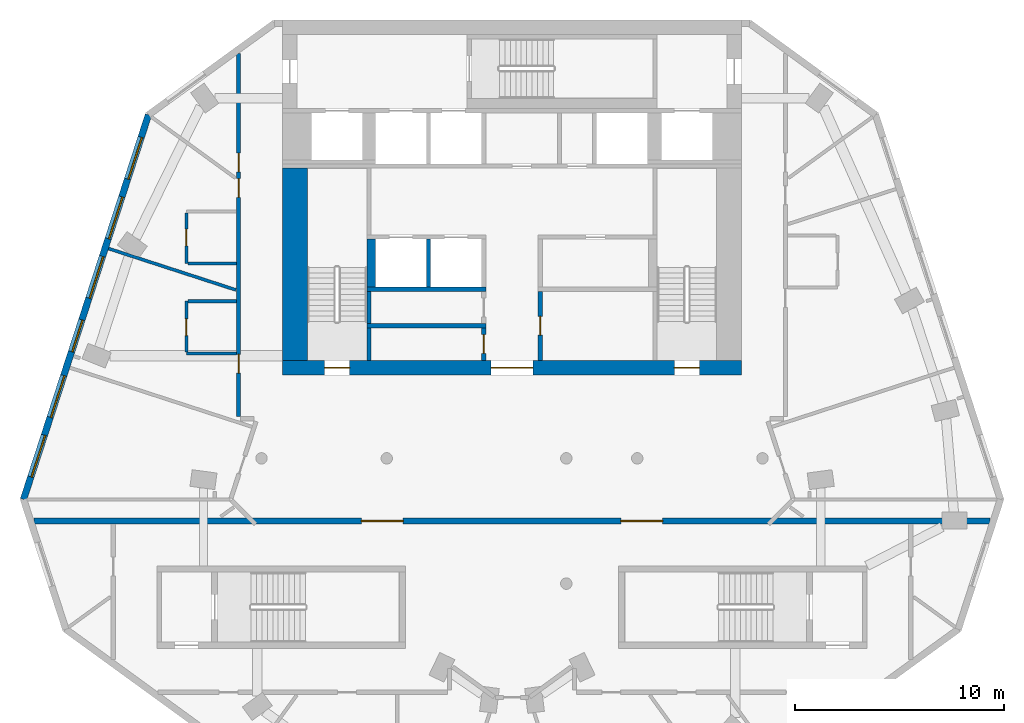
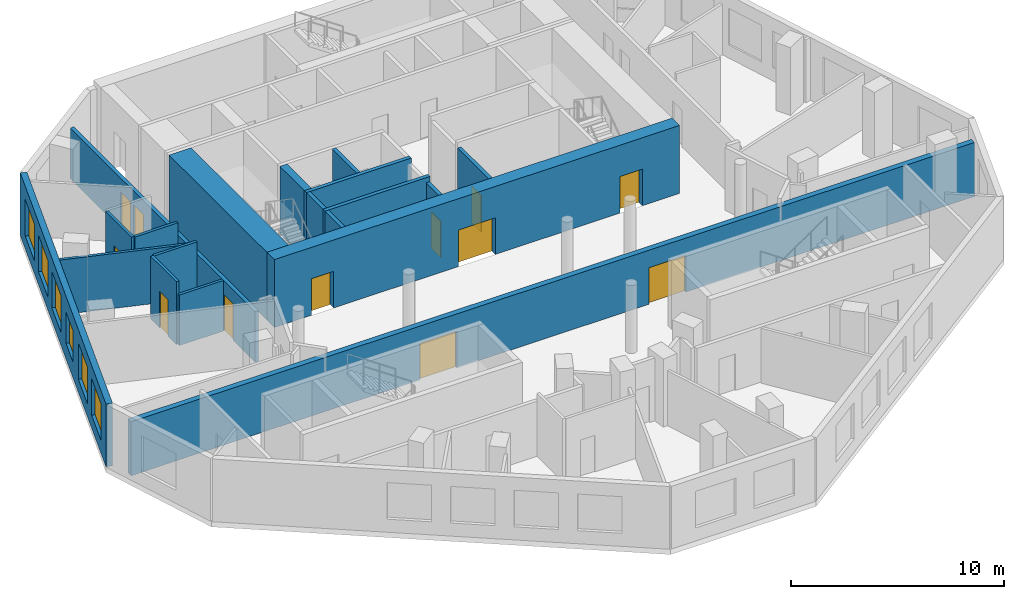
# One storey, part 3 of 8: 19 walls, 12 doors, 6 windows, 18 openings.
"""IFC4 building model written with IfcOpenShell, lengths in metres."""

import ifcopenshell
import ifcopenshell.guid

model = None  # the IFC model being written
_history = None  # IfcOwnerHistory: only IFC2X3 demands one
_inside = {}  # id of a spatial element -> (the spatial element, [elements in it])
_under = {}  # id of a project, library or spatial element -> (it, [spatial elements below it])
_declared = {}  # id of a project -> (the project, [libraries it declares])
_typed = {}  # id of a type object -> (the type object, [elements of that type])
_made_of = {}  # id of a material, layer set ... -> (it, [elements and type objects made of it])


def new_model(schema):
    """Start an empty IFC model of exactly this schema.

    Asked for "IFC4X3", IfcOpenShell would pick the latest addendum, in which some entities
    have other attributes; the version numbers below select the first issue.
    IFC2X3 requires an IfcOwnerHistory on every rooted entity: one is made here for all.
    """
    global model, _history
    if schema == "IFC4X3":
        model = ifcopenshell.file(schema_version=(4, 3, 0, 0))
    else:
        model = ifcopenshell.file(schema=schema)
    _inside.clear()
    _under.clear()
    _declared.clear()
    _typed.clear()
    _made_of.clear()
    _history = None
    if model.schema == "IFC2X3":
        org = make("IfcOrganization", Name="unknown")
        user = make(
            "IfcPersonAndOrganization",
            ThePerson=make("IfcPerson", FamilyName="unknown"),
            TheOrganization=org,
        )
        app = make(
            "IfcApplication",
            ApplicationDeveloper=org,
            Version="unknown",
            ApplicationFullName="unknown",
            ApplicationIdentifier="unknown",
        )
        _history = make(
            "IfcOwnerHistory",
            OwningUser=user,
            OwningApplication=app,
            ChangeAction="ADDED",
            CreationDate=0,
        )
    return model


def make(cls, **values):
    """One entity of the class cls with the attributes given. An attribute that is None is left unset."""
    return model.create_entity(
        cls, **{name: value for name, value in values.items() if value is not None}
    )


def rooted(cls, **values):
    """An entity with a GlobalId (a new one), such as an element, a storey or a relation."""
    return make(cls, GlobalId=ifcopenshell.guid.new(), OwnerHistory=_history, **values)


def si_unit(unit_type, name, prefix=None):
    """IfcSIUnit, for example si_unit("LENGTHUNIT", "METRE", prefix="MILLI")."""
    return make("IfcSIUnit", UnitType=unit_type, Prefix=prefix, Name=name)


def assignment(units):
    """IfcUnitAssignment: the units of a project."""
    return None if units is None else make("IfcUnitAssignment", Units=units)


def point(xyz):
    """IfcCartesianPoint."""
    return None if xyz is None else make("IfcCartesianPoint", Coordinates=xyz)


def direction(xyz):
    """IfcDirection."""
    return None if xyz is None else make("IfcDirection", DirectionRatios=xyz)


def frame(location, z_axis=None, x_axis=None):
    """IfcAxis2Placement3D, a coordinate frame: its origin and axes. An axis left out is left unset."""
    return make(
        "IfcAxis2Placement3D",
        Location=point(location),
        Axis=direction(z_axis),
        RefDirection=direction(x_axis),
    )


def frame_2d(location, x_axis=None):
    """IfcAxis2Placement2D, a coordinate frame in the plane: its origin and x axis."""
    return make(
        "IfcAxis2Placement2D", Location=point(location), RefDirection=direction(x_axis)
    )


def origin():
    """The frame at (0, 0, 0) with its axes left unset."""
    return frame((0.0, 0.0, 0.0))


def place(relative_to, where):
    """IfcLocalPlacement: puts the frame where relative to a parent placement (None: the world)."""
    return make(
        "IfcLocalPlacement", PlacementRelTo=relative_to, RelativePlacement=where
    )


def context(
    kind, dimensions, precision=None, world=None, true_north=None, identifier=None
):
    """IfcGeometricRepresentationContext, for example the 3D "Model" context."""
    return make(
        "IfcGeometricRepresentationContext",
        ContextIdentifier=identifier,
        ContextType=kind,
        CoordinateSpaceDimension=dimensions,
        Precision=precision,
        WorldCoordinateSystem=world,
        TrueNorth=true_north,
    )


def subcontext(parent, identifier, kind, view, scale=None):
    """IfcGeometricRepresentationSubContext, for example "Body" below "Model"."""
    return make(
        "IfcGeometricRepresentationSubContext",
        ContextIdentifier=identifier,
        ContextType=kind,
        ParentContext=parent,
        TargetScale=scale,
        TargetView=view,
    )


def project(units=None, contexts=None):
    """IfcProject with its units and contexts."""
    return rooted(
        "IfcProject",
        Name="project",
        RepresentationContexts=contexts,
        UnitsInContext=assignment(units),
    )


def spatial(cls, under=None, at=None, **own):
    """A site, building, storey or space (cls), placed at a placement, below another one or the project."""
    s = rooted(cls, ObjectPlacement=at, **own)
    if under is not None:
        _under.setdefault(under.id(), (under, []))[1].append(s)
    return s


def profile(cls, at=None, kind="AREA", **sizes):
    """A parametric profile (cls). Its sizes go by their IFC names, for example OverallWidth=200.0."""
    return make(cls, ProfileType=kind, Position=at, **sizes)


def rectangle(**sizes):
    """IfcRectangleProfileDef."""
    return profile("IfcRectangleProfileDef", **sizes)


def extrude(swept, where, along, depth):
    """IfcExtrudedAreaSolid: the profile swept, set in the frame where, extruded along a direction by depth."""
    return make(
        "IfcExtrudedAreaSolid",
        SweptArea=swept,
        Position=where,
        ExtrudedDirection=direction(along),
        Depth=depth,
    )


def shape(context_of_items, identifier, shape_type, items):
    """IfcShapeRepresentation: the items that make up one representation, for example the "Body"."""
    return make(
        "IfcShapeRepresentation",
        ContextOfItems=context_of_items,
        RepresentationIdentifier=identifier,
        RepresentationType=shape_type,
        Items=items,
    )


def material(Name=None, Category=None):
    """IfcMaterial."""
    return make("IfcMaterial", Name=Name, Category=Category)


def layer(
    of_material, thickness, ventilated=None, Name=None, Category=None, Priority=None
):
    """IfcMaterialLayer: one layer of a wall or slab, of a material (None: an air gap)."""
    return make(
        "IfcMaterialLayer",
        Material=of_material,
        LayerThickness=thickness,
        IsVentilated=ventilated,
        Name=Name,
        Category=Category,
        Priority=Priority,
    )


def layer_set(layers, Name=None):
    """IfcMaterialLayerSet."""
    return make("IfcMaterialLayerSet", MaterialLayers=layers, LayerSetName=Name)


def made_of(thing, what):
    """Note that an element or type object is made of a material, layer set ...; save() writes the relation."""
    if what is not None:
        _made_of.setdefault(what.id(), (what, []))[1].append(thing)
    return thing


def type_object(cls, material=None, **own):
    """A type object (cls), such as IfcWallType, which elements share."""
    return made_of(rooted(cls, **own), material)


def element(
    cls,
    number,
    at=None,
    inside=None,
    cuts=None,
    type_object=None,
    material=None,
    context=None,
    identifier="Body",
    shape_type=None,
    held_by="IfcProductDefinitionShape",
    body=None,
    shapes=None,
    **own,
):
    """One element of the class cls, such as IfcWall. Its Tag is "e" and its number.

    at: its placement. inside: the storey or other place that contains it. cuts: it is an
    opening in that element (IfcRelVoidsElement). A single representation is given by context,
    identifier, shape_type and body (its items); several are given by shapes. held_by: the class
    of the entity that holds the representations. save() writes the other relations.
    """
    e = rooted(cls, Tag="e%d" % number, ObjectPlacement=at, **own)
    if body is not None:
        shapes = [shape(context, identifier, shape_type, body)]
    if shapes is not None:
        e.Representation = make(held_by, Representations=shapes)
    if inside is not None:
        _inside.setdefault(inside.id(), (inside, []))[1].append(e)
    if cuts is not None:
        rooted(
            "IfcRelVoidsElement", RelatingBuildingElement=cuts, RelatedOpeningElement=e
        )
    if type_object is not None:
        _typed.setdefault(type_object.id(), (type_object, []))[1].append(e)
    return made_of(e, material)


def fill(opening, filler):
    """IfcRelFillsElement: the door or window that sits in an opening."""
    return rooted(
        "IfcRelFillsElement",
        RelatingOpeningElement=opening,
        RelatedBuildingElement=filler,
    )


def aggregate(whole, parts):
    """IfcRelAggregates: a whole, such as a stair, and the parts it consists of."""
    return rooted("IfcRelAggregates", RelatingObject=whole, RelatedObjects=parts)


def save(model, path):
    """Write the relations noted so far, then the file.

    IfcRelAggregates (storeys below a building ...), IfcRelContainedInSpatialStructure (elements
    in a storey), IfcRelDefinesByType, IfcRelAssociatesMaterial and IfcRelDeclares: one each for
    every whole, place, type object, material and project.
    """
    for whole, parts in _under.values():
        aggregate(whole, parts)
    for where, things in _inside.values():
        rooted(
            "IfcRelContainedInSpatialStructure",
            RelatedElements=things,
            RelatingStructure=where,
        )
    for kind, things in _typed.values():
        rooted("IfcRelDefinesByType", RelatedObjects=things, RelatingType=kind)
    for what, things in _made_of.values():
        rooted("IfcRelAssociatesMaterial", RelatedObjects=things, RelatingMaterial=what)
    for by, libraries in _declared.values():
        rooted("IfcRelDeclares", RelatingContext=by, RelatedDefinitions=libraries)
    model.write(path)


model = new_model("IFC4")

# Units and contexts
model_context = context("Model", 3, precision=1e-05, world=origin(), true_north=direction((0.0, 1.0)))
body_context = subcontext(model_context, "Body", "Model", "MODEL_VIEW")
ifc_project = project(units=[si_unit("LENGTHUNIT", "METRE"), si_unit("AREAUNIT", "SQUARE_METRE"), si_unit("VOLUMEUNIT", "CUBIC_METRE"), si_unit("PLANEANGLEUNIT", "RADIAN"), si_unit("MASSUNIT", "GRAM", prefix="KILO")], contexts=[model_context])

# Site, building, storey
site_placement = place(None, origin())
site = spatial("IfcSite", under=ifc_project, at=site_placement, CompositionType="ELEMENT")
building_placement = place(site_placement, origin())
building = spatial("IfcBuilding", under=site, at=building_placement, Name="White Candle Pilgrim Tower", CompositionType="ELEMENT")
storey_placement = place(building_placement, frame((0.0, 0.0, 263.89990234375)))
storey = spatial("IfcBuildingStorey", under=building, at=storey_placement, Name="L62", CompositionType="ELEMENT", Elevation=263.89990234375)

# Wall, openings, doors
ifc_material_1 = material(Name="Gypsum board on steel studs", Category="steel")
ifc_layer_1 = layer(ifc_material_1, 0.199951171875)
ifc_layer_set_1 = layer_set([ifc_layer_1], Name="Corridor wall 200 mm EI 45")
wall_type_1 = type_object("IfcWallType", Name="Corridor wall 200 mm EI 45", PredefinedType="PARTITIONING", material=ifc_layer_set_1)
wall_1_placement = place(storey_placement, frame((56.89990234375, 69.0, 0.0), z_axis=(0.0, 0.0, 1.0), x_axis=(0.0, 1.0, 0.0)))
wall_1 = element("IfcWall", 1, at=wall_1_placement, inside=storey, type_object=wall_type_1, Name="WL-L62-P006", PredefinedType="PARTITIONING", context=body_context, shape_type="SweptSolid", body=[
    extrude(rectangle(XDim=17.396240234375, YDim=0.199951171875, at=frame_2d((8.6982421875, 0.0))), origin(), (0.0, 0.0, 1.0), 2.900146484375),
])
opening_1_placement = place(wall_1_placement, frame((2.084716796875, 0.0, 0.0)))
opening_1 = element("IfcOpeningElement", 2, at=opening_1_placement, cuts=wall_1, Name="Opening T19-115", PredefinedType="OPENING", context=body_context, shape_type="SweptSolid", body=[
    extrude(rectangle(XDim=0.89990234375, YDim=2.10009765625, at=frame_2d((0.449951171875, 1.050048828125))), frame((0.0, 0.10986328125, 0.0), z_axis=(0.0, -1.0, 0.0), x_axis=(1.0, 0.0, 0.0)), (0.0, 0.0, 1.0), 0.219970703125),
])
opening_2_placement = place(wall_1_placement, frame((10.502197265625, 0.0, 0.0)))
opening_2 = element("IfcOpeningElement", 3, at=opening_2_placement, cuts=wall_1, Name="Opening T19-116", PredefinedType="OPENING", context=body_context, shape_type="SweptSolid", body=[
    extrude(rectangle(XDim=0.89990234375, YDim=2.10009765625, at=frame_2d((0.449951171875, 1.050048828125))), frame((0.0, 0.10986328125, 0.0), z_axis=(0.0, -1.0, 0.0), x_axis=(1.0, 0.0, 0.0)), (0.0, 0.0, 1.0), 0.219970703125),
])
opening_3_placement = place(wall_1_placement, frame((11.727294921875, 0.0, 0.0)))
opening_3 = element("IfcOpeningElement", 4, at=opening_3_placement, cuts=wall_1, Name="Opening T19-117", PredefinedType="OPENING", context=body_context, shape_type="SweptSolid", body=[
    extrude(rectangle(XDim=0.89990234375, YDim=2.10009765625, at=frame_2d((0.449951171875, 1.050048828125))), frame((0.0, 0.10986328125, 0.0), z_axis=(0.0, -1.0, 0.0), x_axis=(1.0, 0.0, 0.0)), (0.0, 0.0, 1.0), 0.219970703125),
])
ifc_material_2 = material(Name="Steel door leaf", Category="steel")
door_type_1 = type_object("IfcDoorType", Name="Fire door 900 x 2100 EI 30", OperationType="NOTDEFINED", PredefinedType="DOOR", material=ifc_material_2)
door_1_placement = place(opening_1_placement, frame((0.89990234375, 0.0, 0.0), z_axis=(0.0, 0.0, 1.0), x_axis=(-1.0, 0.0, 0.0)))
door_1 = element("IfcDoor", 5, at=door_1_placement, inside=storey, type_object=door_type_1, Name="Door T19-115", OperationType="SINGLE_SWING_RIGHT", OverallHeight=2.10009765625, OverallWidth=0.89990234375, PredefinedType="DOOR", context=body_context, shape_type="SweptSolid", body=[
    extrude(rectangle(XDim=0.89990234375, YDim=2.10009765625, at=frame_2d((0.449951171875, 1.050048828125))), frame((0.0, 0.02490234375, 0.0), z_axis=(0.0, -1.0, 0.0), x_axis=(1.0, 0.0, 0.0)), (0.0, 0.0, 1.0), 0.050048828125),
])
fill(opening_1, door_1)
door_2_placement = place(opening_2_placement, origin())
door_2 = element("IfcDoor", 6, at=door_2_placement, inside=storey, type_object=door_type_1, Name="Door T19-116", OperationType="SINGLE_SWING_RIGHT", OverallHeight=2.10009765625, OverallWidth=0.89990234375, PredefinedType="DOOR", context=body_context, shape_type="SweptSolid", body=[
    extrude(rectangle(XDim=0.89990234375, YDim=2.10009765625, at=frame_2d((0.449951171875, 1.050048828125))), frame((0.0, 0.02490234375, 0.0), z_axis=(0.0, -1.0, 0.0), x_axis=(1.0, 0.0, 0.0)), (0.0, 0.0, 1.0), 0.050048828125),
])
fill(opening_2, door_2)
door_3_placement = place(opening_3_placement, origin())
door_3 = element("IfcDoor", 7, at=door_3_placement, inside=storey, type_object=door_type_1, Name="Door T19-117", OperationType="SINGLE_SWING_LEFT", OverallHeight=2.10009765625, OverallWidth=0.89990234375, PredefinedType="DOOR", context=body_context, shape_type="SweptSolid", body=[
    extrude(rectangle(XDim=0.89990234375, YDim=2.10009765625, at=frame_2d((0.449951171875, 1.050048828125))), frame((0.0, 0.02490234375, 0.0), z_axis=(0.0, -1.0, 0.0), x_axis=(1.0, 0.0, 0.0)), (0.0, 0.0, 1.0), 0.050048828125),
])
fill(opening_3, door_3)

# Wall, openings, windows
ifc_material_3 = material(Name="Precast concrete C40/50", Category="concrete")
ifc_layer_2 = layer(ifc_material_3, 0.320068359375)
ifc_layer_set_2 = layer_set([ifc_layer_2], Name="Facade wall EW1 precast concrete C40/50 pier wall with timber-lined reveals")
wall_type_2 = type_object("IfcWallType", Name="Facade wall EW1 precast concrete C40/50 pier wall with timber-lined reveals", PredefinedType="SOLIDWALL", material=ifc_layer_set_2)
wall_2_placement = place(storey_placement, frame((52.58447265625, 83.45849609375, 0.0), z_axis=(0.0, 0.0, 1.0), x_axis=(-0.309018808064, -0.95105592699, 0.0)))
wall_2 = element("IfcWall", 8, at=wall_2_placement, inside=storey, type_object=wall_type_2, Name="Facade wall L62 WNW", PredefinedType="SOLIDWALL", context=body_context, shape_type="SweptSolid", body=[
    extrude(rectangle(XDim=19.368896484375, YDim=0.320068359375, at=frame_2d((9.6845703125, 0.0))), origin(), (0.0, 0.0, 1.0), 3.60009765625),
])
opening_4_placement = place(wall_2_placement, frame((1.134521484375, 0.0, 0.75)))
opening_4 = element("IfcOpeningElement", 9, at=opening_4_placement, cuts=wall_2, Name="Opening W3", PredefinedType="OPENING", context=body_context, shape_type="SweptSolid", body=[
    extrude(rectangle(XDim=2.10009765625, YDim=2.10009765625, at=frame_2d((1.050048828125, 1.050048828125))), frame((0.0, 0.169921875, 0.0), z_axis=(0.0, -1.0, 0.0), x_axis=(1.0, 0.0, 0.0)), (0.0, 0.0, 1.0), 0.340087890625),
])
opening_5_placement = place(wall_2_placement, frame((4.134521484375, 0.0, 0.75)))
opening_5 = element("IfcOpeningElement", 10, at=opening_5_placement, cuts=wall_2, Name="Opening W3", PredefinedType="OPENING", context=body_context, shape_type="SweptSolid", body=[
    extrude(rectangle(XDim=2.10009765625, YDim=2.10009765625, at=frame_2d((1.050048828125, 1.050048828125))), frame((0.0, 0.169921875, 0.0), z_axis=(0.0, -1.0, 0.0), x_axis=(1.0, 0.0, 0.0)), (0.0, 0.0, 1.0), 0.340087890625),
])
opening_6_placement = place(wall_2_placement, frame((7.134521484375, 0.0, 0.75)))
opening_6 = element("IfcOpeningElement", 11, at=opening_6_placement, cuts=wall_2, Name="Opening W3", PredefinedType="OPENING", context=body_context, shape_type="SweptSolid", body=[
    extrude(rectangle(XDim=2.10009765625, YDim=2.10009765625, at=frame_2d((1.050048828125, 1.050048828125))), frame((0.0, 0.169921875, 0.0), z_axis=(0.0, -1.0, 0.0), x_axis=(1.0, 0.0, 0.0)), (0.0, 0.0, 1.0), 0.340087890625),
])
opening_7_placement = place(wall_2_placement, frame((10.3291015625, 0.0, 0.89990234375)))
opening_7 = element("IfcOpeningElement", 12, at=opening_7_placement, cuts=wall_2, Name="Opening W2", PredefinedType="OPENING", context=body_context, shape_type="SweptSolid", body=[
    extrude(rectangle(XDim=1.60009765625, YDim=1.800048828125, at=frame_2d((0.800048828125, 0.89990234375))), frame((0.0, 0.169921875, 0.0), z_axis=(0.0, -1.0, 0.0), x_axis=(1.0, 0.0, 0.0)), (0.0, 0.0, 1.0), 0.340087890625),
])
opening_8_placement = place(wall_2_placement, frame((13.134521484375, 0.0, 0.75)))
opening_8 = element("IfcOpeningElement", 13, at=opening_8_placement, cuts=wall_2, Name="Opening W3", PredefinedType="OPENING", context=body_context, shape_type="SweptSolid", body=[
    extrude(rectangle(XDim=2.10009765625, YDim=2.10009765625, at=frame_2d((1.050048828125, 1.050048828125))), frame((0.0, 0.169921875, 0.0), z_axis=(0.0, -1.0, 0.0), x_axis=(1.0, 0.0, 0.0)), (0.0, 0.0, 1.0), 0.340087890625),
])
opening_9_placement = place(wall_2_placement, frame((16.134521484375, 0.0, 0.75)))
opening_9 = element("IfcOpeningElement", 14, at=opening_9_placement, cuts=wall_2, Name="Opening W3", PredefinedType="OPENING", context=body_context, shape_type="SweptSolid", body=[
    extrude(rectangle(XDim=2.10009765625, YDim=2.10009765625, at=frame_2d((1.050048828125, 1.050048828125))), frame((0.0, 0.169921875, 0.0), z_axis=(0.0, -1.0, 0.0), x_axis=(1.0, 0.0, 0.0)), (0.0, 0.0, 1.0), 0.340087890625),
])
ifc_material_4 = material(Name="Timber frame with triple glazing", Category="wood")
window_type_1 = type_object("IfcWindowType", Name="Window W2 1600x1800 timber frame triple glazing", PartitioningType="SINGLE_PANEL", PredefinedType="WINDOW", material=ifc_material_4)
window_1_placement = place(opening_7_placement, origin())
window_1 = element("IfcWindow", 15, at=window_1_placement, inside=storey, type_object=window_type_1, Name="Window W2 L62 WNW 4", OverallHeight=1.800048828125, OverallWidth=1.60009765625, PartitioningType="SINGLE_PANEL", PredefinedType="WINDOW", context=body_context, shape_type="SweptSolid", body=[
    extrude(rectangle(XDim=1.60009765625, YDim=1.800048828125, at=frame_2d((0.800048828125, 0.89990234375))), frame((0.0, 0.070068359375, 0.0), z_axis=(0.0, -1.0, 0.0), x_axis=(1.0, 0.0, 0.0)), (0.0, 0.0, 1.0), 0.06005859375),
])
fill(opening_7, window_1)
window_type_2 = type_object("IfcWindowType", Name="Window W3 2100x2100 timber frame triple glazing", PartitioningType="SINGLE_PANEL", PredefinedType="WINDOW", material=ifc_material_4)
window_2_placement = place(opening_4_placement, origin())
window_2 = element("IfcWindow", 16, at=window_2_placement, inside=storey, type_object=window_type_2, Name="Window W3 L62 WNW 1", OverallHeight=2.10009765625, OverallWidth=2.10009765625, PartitioningType="SINGLE_PANEL", PredefinedType="WINDOW", context=body_context, shape_type="SweptSolid", body=[
    extrude(rectangle(XDim=2.10009765625, YDim=2.10009765625, at=frame_2d((1.050048828125, 1.050048828125))), frame((0.0, 0.070068359375, 0.0), z_axis=(0.0, -1.0, 0.0), x_axis=(1.0, 0.0, 0.0)), (0.0, 0.0, 1.0), 0.06005859375),
])
fill(opening_4, window_2)
window_3_placement = place(opening_5_placement, origin())
window_3 = element("IfcWindow", 17, at=window_3_placement, inside=storey, type_object=window_type_2, Name="Window W3 L62 WNW 2", OverallHeight=2.10009765625, OverallWidth=2.10009765625, PartitioningType="SINGLE_PANEL", PredefinedType="WINDOW", context=body_context, shape_type="SweptSolid", body=[
    extrude(rectangle(XDim=2.10009765625, YDim=2.10009765625, at=frame_2d((1.050048828125, 1.050048828125))), frame((0.0, 0.070068359375, 0.0), z_axis=(0.0, -1.0, 0.0), x_axis=(1.0, 0.0, 0.0)), (0.0, 0.0, 1.0), 0.06005859375),
])
fill(opening_5, window_3)
window_4_placement = place(opening_6_placement, origin())
window_4 = element("IfcWindow", 18, at=window_4_placement, inside=storey, type_object=window_type_2, Name="Window W3 L62 WNW 3", OverallHeight=2.10009765625, OverallWidth=2.10009765625, PartitioningType="SINGLE_PANEL", PredefinedType="WINDOW", context=body_context, shape_type="SweptSolid", body=[
    extrude(rectangle(XDim=2.10009765625, YDim=2.10009765625, at=frame_2d((1.050048828125, 1.050048828125))), frame((0.0, 0.070068359375, 0.0), z_axis=(0.0, -1.0, 0.0), x_axis=(1.0, 0.0, 0.0)), (0.0, 0.0, 1.0), 0.06005859375),
])
fill(opening_6, window_4)
window_5_placement = place(opening_8_placement, origin())
window_5 = element("IfcWindow", 19, at=window_5_placement, inside=storey, type_object=window_type_2, Name="Window W3 L62 WNW 5", OverallHeight=2.10009765625, OverallWidth=2.10009765625, PartitioningType="SINGLE_PANEL", PredefinedType="WINDOW", context=body_context, shape_type="SweptSolid", body=[
    extrude(rectangle(XDim=2.10009765625, YDim=2.10009765625, at=frame_2d((1.050048828125, 1.050048828125))), frame((0.0, 0.070068359375, 0.0), z_axis=(0.0, -1.0, 0.0), x_axis=(1.0, 0.0, 0.0)), (0.0, 0.0, 1.0), 0.06005859375),
])
fill(opening_8, window_5)
window_6_placement = place(opening_9_placement, origin())
window_6 = element("IfcWindow", 20, at=window_6_placement, inside=storey, type_object=window_type_2, Name="Window W3 L62 WNW 6", OverallHeight=2.10009765625, OverallWidth=2.10009765625, PartitioningType="SINGLE_PANEL", PredefinedType="WINDOW", context=body_context, shape_type="SweptSolid", body=[
    extrude(rectangle(XDim=2.10009765625, YDim=2.10009765625, at=frame_2d((1.050048828125, 1.050048828125))), frame((0.0, 0.070068359375, 0.0), z_axis=(0.0, -1.0, 0.0), x_axis=(1.0, 0.0, 0.0)), (0.0, 0.0, 1.0), 0.06005859375),
])
fill(opening_9, window_6)

# Wall, openings, doors
ifc_material_5 = material(Name="Aerated concrete block", Category="concrete")
ifc_layer_3 = layer(ifc_material_5, 0.300048828125)
ifc_layer_set_3 = layer_set([ifc_layer_3], Name="Fire wall 300 mm REI 240")
wall_type_3 = type_object("IfcWallType", Name="Fire wall 300 mm REI 240", PredefinedType="PARTITIONING", material=ifc_layer_set_3)
wall_3_placement = place(storey_placement, frame((47.1044921875, 64.0, 0.0), z_axis=(0.0, 0.0, 1.0), x_axis=(1.0, 0.0, 0.0)))
wall_3 = element("IfcWall", 21, at=wall_3_placement, inside=storey, type_object=wall_type_3, Name="WL-L62-P001", PredefinedType="PARTITIONING", context=body_context, shape_type="SweptSolid", body=[
    extrude(rectangle(XDim=45.791015625, YDim=0.300048828125, at=frame_2d((22.8955078125, 0.0))), origin(), (0.0, 0.0, 1.0), 3.10009765625),
])
opening_10_placement = place(wall_3_placement, frame((15.675537109375, 0.0, 0.0)))
opening_10 = element("IfcOpeningElement", 22, at=opening_10_placement, cuts=wall_3, Name="Opening T19-111", PredefinedType="OPENING", context=body_context, shape_type="SweptSolid", body=[
    extrude(rectangle(XDim=2.0, YDim=2.10009765625, at=frame_2d((1.0, 1.050048828125))), frame((0.0, 0.159912109375, 0.0), z_axis=(0.0, -1.0, 0.0), x_axis=(1.0, 0.0, 0.0)), (0.0, 0.0, 1.0), 0.320068359375),
])
opening_11_placement = place(wall_3_placement, frame((28.115478515625, 0.0, 0.0)))
opening_11 = element("IfcOpeningElement", 23, at=opening_11_placement, cuts=wall_3, Name="Opening T19-112", PredefinedType="OPENING", context=body_context, shape_type="SweptSolid", body=[
    extrude(rectangle(XDim=2.0, YDim=2.10009765625, at=frame_2d((1.0, 1.050048828125))), frame((0.0, 0.159912109375, 0.0), z_axis=(0.0, -1.0, 0.0), x_axis=(1.0, 0.0, 0.0)), (0.0, 0.0, 1.0), 0.320068359375),
])
door_type_2 = type_object("IfcDoorType", Name="Fire door 2000 x 2100 EI 60", OperationType="NOTDEFINED", PredefinedType="DOOR", material=ifc_material_2)
door_4_placement = place(opening_10_placement, origin())
door_4 = element("IfcDoor", 24, at=door_4_placement, inside=storey, type_object=door_type_2, Name="Door T19-111", OperationType="DOUBLE_DOOR_SINGLE_SWING", OverallHeight=2.10009765625, OverallWidth=2.0, PredefinedType="DOOR", context=body_context, shape_type="SweptSolid", body=[
    extrude(rectangle(XDim=2.0, YDim=2.10009765625, at=frame_2d((1.0, 1.050048828125))), frame((0.0, 0.02490234375, 0.0), z_axis=(0.0, -1.0, 0.0), x_axis=(1.0, 0.0, 0.0)), (0.0, 0.0, 1.0), 0.050048828125),
])
fill(opening_10, door_4)
door_5_placement = place(opening_11_placement, origin())
door_5 = element("IfcDoor", 25, at=door_5_placement, inside=storey, type_object=door_type_2, Name="Door T19-112", OperationType="DOUBLE_DOOR_SINGLE_SWING", OverallHeight=2.10009765625, OverallWidth=2.0, PredefinedType="DOOR", context=body_context, shape_type="SweptSolid", body=[
    extrude(rectangle(XDim=2.0, YDim=2.10009765625, at=frame_2d((1.0, 1.050048828125))), frame((0.0, 0.02490234375, 0.0), z_axis=(0.0, -1.0, 0.0), x_axis=(1.0, 0.0, 0.0)), (0.0, 0.0, 1.0), 0.050048828125),
])
fill(opening_11, door_5)

# Wall, opening, door
ifc_layer_4 = layer(ifc_material_1, 0.199951171875)
ifc_layer_set_4 = layer_set([ifc_layer_4], Name="Lobby wall 200 mm EI 60")
wall_type_4 = type_object("IfcWallType", Name="Lobby wall 200 mm EI 60", PredefinedType="PARTITIONING", material=ifc_layer_set_4)
wall_4_placement = place(storey_placement, frame((68.64990234375, 71.699951171875, 0.0), z_axis=(0.0, 0.0, 1.0), x_axis=(0.0, 1.0, 0.0)))
wall_4 = element("IfcWall", 26, at=wall_4_placement, inside=storey, type_object=wall_type_4, Name="WL-L62-C14", PredefinedType="PARTITIONING", context=body_context, shape_type="SweptSolid", body=[
    extrude(rectangle(XDim=1.550048828125, YDim=0.199951171875, at=frame_2d((0.77490234375, 0.0))), origin(), (0.0, 0.0, 1.0), 3.60009765625),
])
opening_12_placement = place(wall_4_placement, frame((0.324951171875, 0.0, 0.0)))
opening_12 = element("IfcOpeningElement", 27, at=opening_12_placement, cuts=wall_4, Name="Opening T19-005", PredefinedType="OPENING", context=body_context, shape_type="SweptSolid", body=[
    extrude(rectangle(XDim=0.89990234375, YDim=2.10009765625, at=frame_2d((0.449951171875, 1.050048828125))), frame((0.0, 0.10986328125, 0.0), z_axis=(0.0, -1.0, 0.0), x_axis=(1.0, 0.0, 0.0)), (0.0, 0.0, 1.0), 0.219970703125),
])
door_6_placement = place(opening_12_placement, origin())
door_6 = element("IfcDoor", 28, at=door_6_placement, inside=storey, type_object=door_type_1, Name="Door T19-005", OperationType="SINGLE_SWING_LEFT", OverallHeight=2.10009765625, OverallWidth=0.89990234375, PredefinedType="DOOR", context=body_context, shape_type="SweptSolid", body=[
    extrude(rectangle(XDim=0.89990234375, YDim=2.10009765625, at=frame_2d((0.449951171875, 1.050048828125))), frame((0.0, 0.02490234375, 0.0), z_axis=(0.0, -1.0, 0.0), x_axis=(1.0, 0.0, 0.0)), (0.0, 0.0, 1.0), 0.050048828125),
])
fill(opening_12, door_6)

wall_5_placement = place(storey_placement, frame((71.35009765625, 71.699951171875, 0.0), z_axis=(0.0, 0.0, 1.0), x_axis=(0.0, 1.0, 0.0)))
wall_5 = element("IfcWall", 29, at=wall_5_placement, inside=storey, type_object=wall_type_4, Name="WL-L62-C15", PredefinedType="PARTITIONING", context=body_context, shape_type="SweptSolid", body=[
    extrude(rectangle(XDim=3.300048828125, YDim=0.199951171875, at=frame_2d((1.64990234375, 0.0))), origin(), (0.0, 0.0, 1.0), 3.60009765625),
])
opening_13_placement = place(wall_5_placement, frame((1.199951171875, 0.0, 0.0)))
opening_13 = element("IfcOpeningElement", 30, at=opening_13_placement, cuts=wall_5, Name="Opening T19-007", PredefinedType="OPENING", context=body_context, shape_type="SweptSolid", body=[
    extrude(rectangle(XDim=0.89990234375, YDim=2.10009765625, at=frame_2d((0.449951171875, 1.050048828125))), frame((0.0, 0.10986328125, 0.0), z_axis=(0.0, -1.0, 0.0), x_axis=(1.0, 0.0, 0.0)), (0.0, 0.0, 1.0), 0.219970703125),
])
door_7_placement = place(opening_13_placement, origin())
door_7 = element("IfcDoor", 31, at=door_7_placement, inside=storey, type_object=door_type_1, Name="Door T19-007", OperationType="SINGLE_SWING_LEFT", OverallHeight=2.10009765625, OverallWidth=0.89990234375, PredefinedType="DOOR", context=body_context, shape_type="SweptSolid", body=[
    extrude(rectangle(XDim=0.89990234375, YDim=2.10009765625, at=frame_2d((0.449951171875, 1.050048828125))), frame((0.0, 0.02490234375, 0.0), z_axis=(0.0, -1.0, 0.0), x_axis=(1.0, 0.0, 0.0)), (0.0, 0.0, 1.0), 0.050048828125),
])
fill(opening_13, door_7)

# Wall
ifc_layer_5 = layer(ifc_material_1, 0.14990234375)
ifc_layer_set_5 = layer_set([ifc_layer_5], Name="Partition 150 mm EI 60")
wall_type_5 = type_object("IfcWallType", Name="Partition 150 mm EI 60", PredefinedType="PARTITIONING", material=ifc_layer_set_5)
wall_6_placement = place(storey_placement, frame((50.6708984375, 77.0517578125, 0.0), z_axis=(0.0, 0.0, 1.0), x_axis=(0.951059216388, -0.309008684221, 0.0)))
element("IfcWall", 32, at=wall_6_placement, inside=storey, type_object=wall_type_5, Name="WL-L62-P029", PredefinedType="PARTITIONING", context=body_context, shape_type="SweptSolid", body=[
    extrude(rectangle(XDim=6.420166015625, YDim=0.14990234375, at=frame_2d((3.2099609375, 0.0))), origin(), (0.0, 0.0, 1.0), 3.150146484375),
])

# Wall, opening, door
wall_7_placement = place(storey_placement, frame((54.39990234375, 76.327880859375, 0.0), z_axis=(0.0, 0.0, 1.0), x_axis=(0.0, 1.0, 0.0)))
wall_7 = element("IfcWall", 33, at=wall_7_placement, inside=storey, type_object=wall_type_5, Name="WL-L62-P032", PredefinedType="PARTITIONING", context=body_context, shape_type="SweptSolid", body=[
    extrude(rectangle(XDim=2.425048828125, YDim=0.14990234375, at=frame_2d((1.21240234375, 0.0))), origin(), (0.0, 0.0, 1.0), 3.60009765625),
])
opening_14_placement = place(wall_7_placement, frame((0.85009765625, 0.0, 0.0)))
opening_14 = element("IfcOpeningElement", 34, at=opening_14_placement, cuts=wall_7, Name="Opening T19-101", PredefinedType="OPENING", context=body_context, shape_type="SweptSolid", body=[
    extrude(rectangle(XDim=0.800048828125, YDim=2.10009765625, at=frame_2d((0.39990234375, 1.050048828125))), frame((0.0, 0.0849609375, 0.0), z_axis=(0.0, -1.0, 0.0), x_axis=(1.0, 0.0, 0.0)), (0.0, 0.0, 1.0), 0.169921875),
])
door_type_3 = type_object("IfcDoorType", Name="Fire door 800 x 2100 EI 30", OperationType="NOTDEFINED", PredefinedType="DOOR", material=ifc_material_2)
door_8_placement = place(opening_14_placement, origin())
door_8 = element("IfcDoor", 35, at=door_8_placement, inside=storey, type_object=door_type_3, Name="Door T19-101", OperationType="SINGLE_SWING_LEFT", OverallHeight=2.10009765625, OverallWidth=0.800048828125, PredefinedType="DOOR", context=body_context, shape_type="SweptSolid", body=[
    extrude(rectangle(XDim=0.800048828125, YDim=2.10009765625, at=frame_2d((0.39990234375, 1.050048828125))), frame((0.0, 0.02490234375, 0.0), z_axis=(0.0, -1.0, 0.0), x_axis=(1.0, 0.0, 0.0)), (0.0, 0.0, 1.0), 0.050048828125),
])
fill(opening_14, door_8)

# Walls
wall_8_placement = place(storey_placement, frame((56.800048828125, 76.327880859375, 0.0), z_axis=(0.0, 0.0, 1.0), x_axis=(-1.0, 0.0, 0.0)))
element("IfcWall", 36, at=wall_8_placement, inside=storey, type_object=wall_type_5, Name="WL-L62-P033", PredefinedType="PARTITIONING", context=body_context, shape_type="SweptSolid", body=[
    extrude(rectangle(XDim=2.324951171875, YDim=0.14990234375, at=frame_2d((1.16259765625, 0.0))), origin(), (0.0, 0.0, 1.0), 3.60009765625),
])
wall_9_placement = place(storey_placement, frame((56.800048828125, 72.02783203125, 0.0), z_axis=(0.0, 0.0, 1.0), x_axis=(-1.0, 0.0, 0.0)))
element("IfcWall", 37, at=wall_9_placement, inside=storey, type_object=wall_type_5, Name="WL-L62-P034", PredefinedType="PARTITIONING", context=body_context, shape_type="SweptSolid", body=[
    extrude(rectangle(XDim=2.400146484375, YDim=0.14990234375, at=frame_2d((1.2001953125, 0.0))), origin(), (0.0, 0.0, 1.0), 2.900146484375),
])

# Wall, opening, door
wall_10_placement = place(storey_placement, frame((54.39990234375, 74.52783203125, 0.0), z_axis=(0.0, 0.0, 1.0), x_axis=(0.0, -1.0, 0.0)))
wall_10 = element("IfcWall", 38, at=wall_10_placement, inside=storey, type_object=wall_type_5, Name="WL-L62-P035", PredefinedType="PARTITIONING", context=body_context, shape_type="SweptSolid", body=[
    extrude(rectangle(XDim=2.425048828125, YDim=0.14990234375, at=frame_2d((1.21240234375, 0.0))), origin(), (0.0, 0.0, 1.0), 3.60009765625),
])
opening_15_placement = place(wall_10_placement, frame((0.85009765625, 0.0, 0.0)))
opening_15 = element("IfcOpeningElement", 39, at=opening_15_placement, cuts=wall_10, Name="Opening T19-102", PredefinedType="OPENING", context=body_context, shape_type="SweptSolid", body=[
    extrude(rectangle(XDim=0.800048828125, YDim=2.10009765625, at=frame_2d((0.39990234375, 1.050048828125))), frame((0.0, 0.0849609375, 0.0), z_axis=(0.0, -1.0, 0.0), x_axis=(1.0, 0.0, 0.0)), (0.0, 0.0, 1.0), 0.169921875),
])
door_9_placement = place(opening_15_placement, frame((0.800048828125, 0.0, 0.0), z_axis=(0.0, 0.0, 1.0), x_axis=(-1.0, 0.0, 0.0)))
door_9 = element("IfcDoor", 40, at=door_9_placement, inside=storey, type_object=door_type_3, Name="Door T19-102", OperationType="SINGLE_SWING_LEFT", OverallHeight=2.10009765625, OverallWidth=0.800048828125, PredefinedType="DOOR", context=body_context, shape_type="SweptSolid", body=[
    extrude(rectangle(XDim=0.800048828125, YDim=2.10009765625, at=frame_2d((0.39990234375, 1.050048828125))), frame((0.0, 0.02490234375, 0.0), z_axis=(0.0, -1.0, 0.0), x_axis=(1.0, 0.0, 0.0)), (0.0, 0.0, 1.0), 0.050048828125),
])
fill(opening_15, door_9)

# Walls
wall_11_placement = place(storey_placement, frame((56.800048828125, 74.52783203125, 0.0), z_axis=(0.0, 0.0, 1.0), x_axis=(-1.0, 0.0, 0.0)))
element("IfcWall", 41, at=wall_11_placement, inside=storey, type_object=wall_type_5, Name="WL-L62-P036", PredefinedType="PARTITIONING", context=body_context, shape_type="SweptSolid", body=[
    extrude(rectangle(XDim=2.324951171875, YDim=0.14990234375, at=frame_2d((1.16259765625, 0.0))), origin(), (0.0, 0.0, 1.0), 3.60009765625),
])
ifc_material_6 = material(Name="Concrete C50/60", Category="concrete")
ifc_layer_6 = layer(ifc_material_6, 0.199951171875)
ifc_layer_set_6 = layer_set([ifc_layer_6], Name="Shaft wall 200 mm Concrete C50/60")
wall_type_6 = type_object("IfcWallType", Name="Shaft wall 200 mm Concrete C50/60", PredefinedType="SHEAR", material=ifc_layer_set_6)
wall_12_placement = place(storey_placement, frame((66.0, 75.199951171875, 0.0), z_axis=(0.0, 0.0, 1.0), x_axis=(0.0, 1.0, 0.0)))
element("IfcWall", 42, at=wall_12_placement, inside=storey, type_object=wall_type_6, Name="WL-L62-C24", PredefinedType="SHEAR", context=body_context, shape_type="SweptSolid", body=[
    extrude(rectangle(XDim=2.300048828125, YDim=0.199951171875, at=frame_2d((1.14990234375, 0.0))), origin(), (0.0, 0.0, 1.0), 3.900146484375),
])
ifc_layer_7 = layer(ifc_material_6, 1.199951171875)
ifc_layer_set_7 = layer_set([ifc_layer_7], Name="Stair shaft wall 1200 mm Concrete C50/60")
wall_type_7 = type_object("IfcWallType", Name="Stair shaft wall 1200 mm Concrete C50/60", PredefinedType="SHEAR", material=ifc_layer_set_7)
wall_13_placement = place(storey_placement, frame((59.60009765625, 71.699951171875, 0.0), z_axis=(0.0, 0.0, 1.0), x_axis=(0.0, 1.0, 0.0)))
element("IfcWall", 43, at=wall_13_placement, inside=storey, type_object=wall_type_7, Name="WL-L62-C12", PredefinedType="SHEAR", context=body_context, shape_type="SweptSolid", body=[
    extrude(rectangle(XDim=9.199951171875, YDim=1.199951171875, at=frame_2d((4.60009765625, 0.0))), origin(), (0.0, 0.0, 1.0), 3.900146484375),
])
ifc_layer_8 = layer(ifc_material_6, 0.199951171875)
ifc_layer_set_8 = layer_set([ifc_layer_8], Name="Stair shaft wall 200 mm Concrete C50/60")
wall_type_8 = type_object("IfcWallType", Name="Stair shaft wall 200 mm Concrete C50/60", PredefinedType="SHEAR", material=ifc_layer_set_8)
wall_14_placement = place(storey_placement, frame((63.14990234375, 71.699951171875, 0.0), z_axis=(0.0, 0.0, 1.0), x_axis=(0.0, 1.0, 0.0)))
element("IfcWall", 44, at=wall_14_placement, inside=storey, type_object=wall_type_8, Name="WL-L62-C13", PredefinedType="SHEAR", context=body_context, shape_type="SweptSolid", body=[
    extrude(rectangle(XDim=1.550048828125, YDim=0.199951171875, at=frame_2d((0.77490234375, 0.0))), origin(), (0.0, 0.0, 1.0), 3.900146484375),
])
wall_15_placement = place(storey_placement, frame((63.050048828125, 73.35009765625, 0.0), z_axis=(0.0, 0.0, 1.0), x_axis=(1.0, 0.0, 0.0)))
element("IfcWall", 45, at=wall_15_placement, inside=storey, type_object=wall_type_8, Name="WL-L62-C18", PredefinedType="SHEAR", context=body_context, shape_type="SweptSolid", body=[
    extrude(rectangle(XDim=5.699951171875, YDim=0.199951171875, at=frame_2d((2.85009765625, 0.0))), origin(), (0.0, 0.0, 1.0), 3.900146484375),
])
wall_16_placement = place(storey_placement, frame((63.14990234375, 73.449951171875, 0.0), z_axis=(0.0, 0.0, 1.0), x_axis=(0.0, 1.0, 0.0)))
element("IfcWall", 46, at=wall_16_placement, inside=storey, type_object=wall_type_8, Name="WL-L62-C19", PredefinedType="SHEAR", context=body_context, shape_type="SweptSolid", body=[
    extrude(rectangle(XDim=1.550048828125, YDim=0.199951171875, at=frame_2d((0.77490234375, 0.0))), origin(), (0.0, 0.0, 1.0), 3.900146484375),
])
wall_17_placement = place(storey_placement, frame((63.050048828125, 75.10009765625, 0.0), z_axis=(0.0, 0.0, 1.0), x_axis=(1.0, 0.0, 0.0)))
element("IfcWall", 47, at=wall_17_placement, inside=storey, type_object=wall_type_8, Name="WL-L62-C21", PredefinedType="SHEAR", context=body_context, shape_type="SweptSolid", body=[
    extrude(rectangle(XDim=5.699951171875, YDim=0.199951171875, at=frame_2d((2.85009765625, 0.0))), origin(), (0.0, 0.0, 1.0), 3.900146484375),
])
ifc_layer_9 = layer(ifc_material_6, 0.39990234375)
ifc_layer_set_9 = layer_set([ifc_layer_9], Name="Stair shaft wall 400 mm Concrete C50/60")
wall_type_9 = type_object("IfcWallType", Name="Stair shaft wall 400 mm Concrete C50/60", PredefinedType="SHEAR", material=ifc_layer_set_9)
wall_18_placement = place(storey_placement, frame((63.25, 75.199951171875, 0.0), z_axis=(0.0, 0.0, 1.0), x_axis=(0.0, 1.0, 0.0)))
element("IfcWall", 48, at=wall_18_placement, inside=storey, type_object=wall_type_9, Name="WL-L62-C23", PredefinedType="SHEAR", context=body_context, shape_type="SweptSolid", body=[
    extrude(rectangle(XDim=2.300048828125, YDim=0.39990234375, at=frame_2d((1.14990234375, 0.0))), origin(), (0.0, 0.0, 1.0), 3.900146484375),
])

# Wall, openings, doors
ifc_layer_10 = layer(ifc_material_6, 0.699951171875)
ifc_layer_set_10 = layer_set([ifc_layer_10], Name="Stair shaft wall 700 mm Concrete C50/60")
wall_type_10 = type_object("IfcWallType", Name="Stair shaft wall 700 mm Concrete C50/60", PredefinedType="SHEAR", material=ifc_layer_set_10)
wall_19_placement = place(storey_placement, frame((59.0, 71.35009765625, 0.0), z_axis=(0.0, 0.0, 1.0), x_axis=(1.0, 0.0, 0.0)))
wall_19 = element("IfcWall", 49, at=wall_19_placement, inside=storey, type_object=wall_type_10, Name="WL-L62-C11", PredefinedType="SHEAR", context=body_context, shape_type="SweptSolid", body=[
    extrude(rectangle(XDim=22.0, YDim=0.699951171875, at=frame_2d((11.0, 0.0))), origin(), (0.0, 0.0, 1.0), 3.900146484375),
])
opening_16_placement = place(wall_19_placement, frame((2.02490234375, 0.0, 0.0)))
opening_16 = element("IfcOpeningElement", 50, at=opening_16_placement, cuts=wall_19, Name="Opening T19-001", PredefinedType="OPENING", context=body_context, shape_type="SweptSolid", body=[
    extrude(rectangle(XDim=1.199951171875, YDim=2.10009765625, at=frame_2d((0.60009765625, 1.050048828125))), frame((0.0, 0.35986328125, 0.0), z_axis=(0.0, -1.0, 0.0), x_axis=(1.0, 0.0, 0.0)), (0.0, 0.0, 1.0), 0.719970703125),
])
opening_17_placement = place(wall_19_placement, frame((18.77490234375, 0.0, 0.0)))
opening_17 = element("IfcOpeningElement", 51, at=opening_17_placement, cuts=wall_19, Name="Opening T19-002", PredefinedType="OPENING", context=body_context, shape_type="SweptSolid", body=[
    extrude(rectangle(XDim=1.199951171875, YDim=2.10009765625, at=frame_2d((0.60009765625, 1.050048828125))), frame((0.0, 0.35986328125, 0.0), z_axis=(0.0, -1.0, 0.0), x_axis=(1.0, 0.0, 0.0)), (0.0, 0.0, 1.0), 0.719970703125),
])
opening_18_placement = place(wall_19_placement, frame((10.0, 0.0, 0.0)))
opening_18 = element("IfcOpeningElement", 52, at=opening_18_placement, cuts=wall_19, Name="Opening T19-004", PredefinedType="OPENING", context=body_context, shape_type="SweptSolid", body=[
    extrude(rectangle(XDim=2.0, YDim=2.10009765625, at=frame_2d((1.0, 1.050048828125))), frame((0.0, 0.35986328125, 0.0), z_axis=(0.0, -1.0, 0.0), x_axis=(1.0, 0.0, 0.0)), (0.0, 0.0, 1.0), 0.719970703125),
])
door_type_4 = type_object("IfcDoorType", Name="Fire door 1200 x 2100 EI 60", OperationType="NOTDEFINED", PredefinedType="DOOR", material=ifc_material_2)
door_10_placement = place(opening_16_placement, frame((1.199951171875, 0.0, 0.0), z_axis=(0.0, 0.0, 1.0), x_axis=(-1.0, 0.0, 0.0)))
door_10 = element("IfcDoor", 53, at=door_10_placement, inside=storey, type_object=door_type_4, Name="Door T19-001", OperationType="SINGLE_SWING_RIGHT", OverallHeight=2.10009765625, OverallWidth=1.199951171875, PredefinedType="DOOR", context=body_context, shape_type="SweptSolid", body=[
    extrude(rectangle(XDim=1.199951171875, YDim=2.10009765625, at=frame_2d((0.60009765625, 1.050048828125))), frame((0.0, 0.02490234375, 0.0), z_axis=(0.0, -1.0, 0.0), x_axis=(1.0, 0.0, 0.0)), (0.0, 0.0, 1.0), 0.050048828125),
])
fill(opening_16, door_10)
door_11_placement = place(opening_17_placement, frame((1.199951171875, 0.0, 0.0), z_axis=(0.0, 0.0, 1.0), x_axis=(-1.0, 0.0, 0.0)))
door_11 = element("IfcDoor", 54, at=door_11_placement, inside=storey, type_object=door_type_4, Name="Door T19-002", OperationType="SINGLE_SWING_LEFT", OverallHeight=2.10009765625, OverallWidth=1.199951171875, PredefinedType="DOOR", context=body_context, shape_type="SweptSolid", body=[
    extrude(rectangle(XDim=1.199951171875, YDim=2.10009765625, at=frame_2d((0.60009765625, 1.050048828125))), frame((0.0, 0.02490234375, 0.0), z_axis=(0.0, -1.0, 0.0), x_axis=(1.0, 0.0, 0.0)), (0.0, 0.0, 1.0), 0.050048828125),
])
fill(opening_17, door_11)
door_12_placement = place(opening_18_placement, frame((2.0, 0.0, 0.0), z_axis=(0.0, 0.0, 1.0), x_axis=(-1.0, 0.0, 0.0)))
door_12 = element("IfcDoor", 55, at=door_12_placement, inside=storey, type_object=door_type_2, Name="Door T19-004", OperationType="DOUBLE_DOOR_SINGLE_SWING", OverallHeight=2.10009765625, OverallWidth=2.0, PredefinedType="DOOR", context=body_context, shape_type="SweptSolid", body=[
    extrude(rectangle(XDim=2.0, YDim=2.10009765625, at=frame_2d((1.0, 1.050048828125))), frame((0.0, 0.02490234375, 0.0), z_axis=(0.0, -1.0, 0.0), x_axis=(1.0, 0.0, 0.0)), (0.0, 0.0, 1.0), 0.050048828125),
])
fill(opening_18, door_12)

save(model, "model.ifc")
